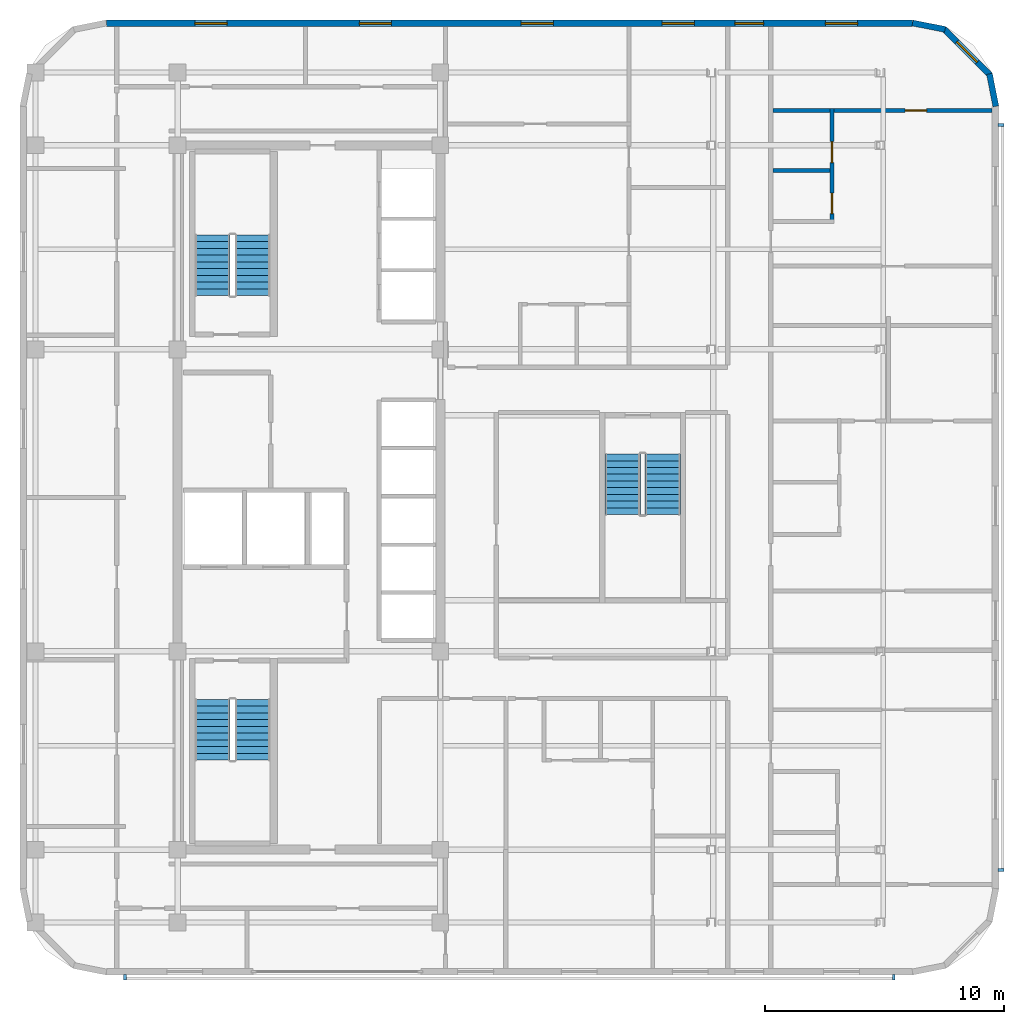
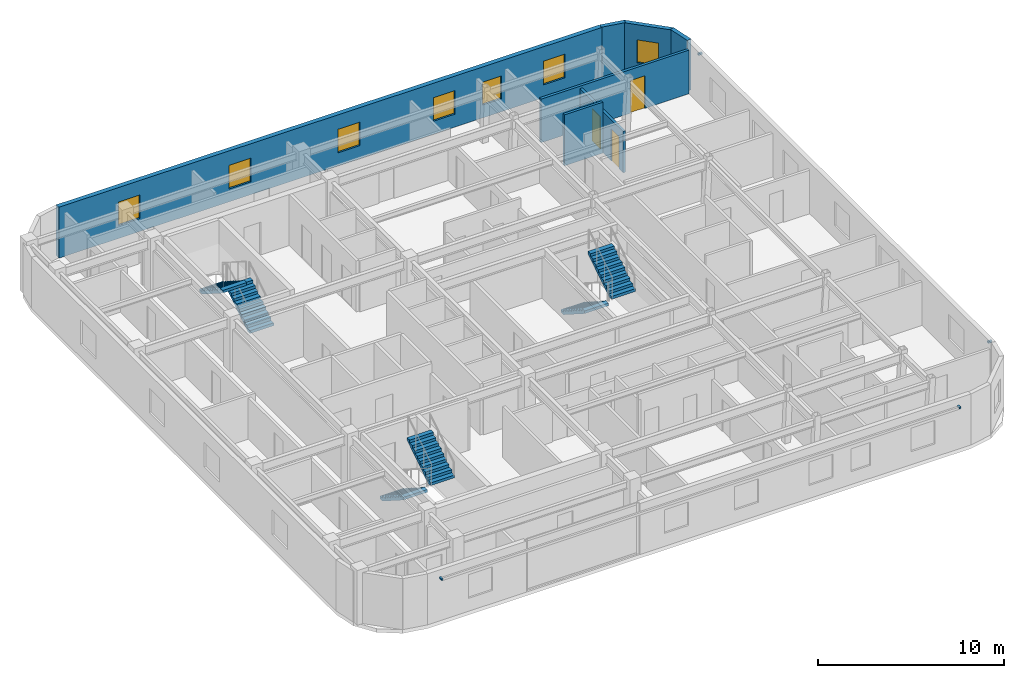
# One storey, part 8 of 11: 7 walls, 7 windows, 6 stair flights, 4 discrete accessories, 3 doors, 10 openings, 3 elements without a shape of their own.
"""IFC4 building model written with IfcOpenShell, lengths in metres."""

import ifcopenshell
import ifcopenshell.guid

model = None  # the IFC model being written
_history = None  # IfcOwnerHistory: only IFC2X3 demands one
_inside = {}  # id of a spatial element -> (the spatial element, [elements in it])
_under = {}  # id of a project, library or spatial element -> (it, [spatial elements below it])
_declared = {}  # id of a project -> (the project, [libraries it declares])
_typed = {}  # id of a type object -> (the type object, [elements of that type])
_made_of = {}  # id of a material, layer set ... -> (it, [elements and type objects made of it])


def new_model(schema):
    """Start an empty IFC model of exactly this schema.

    Asked for "IFC4X3", IfcOpenShell would pick the latest addendum, in which some entities
    have other attributes; the version numbers below select the first issue.
    IFC2X3 requires an IfcOwnerHistory on every rooted entity: one is made here for all.
    """
    global model, _history
    if schema == "IFC4X3":
        model = ifcopenshell.file(schema_version=(4, 3, 0, 0))
    else:
        model = ifcopenshell.file(schema=schema)
    _inside.clear()
    _under.clear()
    _declared.clear()
    _typed.clear()
    _made_of.clear()
    _history = None
    if model.schema == "IFC2X3":
        org = make("IfcOrganization", Name="unknown")
        user = make(
            "IfcPersonAndOrganization",
            ThePerson=make("IfcPerson", FamilyName="unknown"),
            TheOrganization=org,
        )
        app = make(
            "IfcApplication",
            ApplicationDeveloper=org,
            Version="unknown",
            ApplicationFullName="unknown",
            ApplicationIdentifier="unknown",
        )
        _history = make(
            "IfcOwnerHistory",
            OwningUser=user,
            OwningApplication=app,
            ChangeAction="ADDED",
            CreationDate=0,
        )
    return model


def make(cls, **values):
    """One entity of the class cls with the attributes given. An attribute that is None is left unset."""
    return model.create_entity(
        cls, **{name: value for name, value in values.items() if value is not None}
    )


def rooted(cls, **values):
    """An entity with a GlobalId (a new one), such as an element, a storey or a relation."""
    return make(cls, GlobalId=ifcopenshell.guid.new(), OwnerHistory=_history, **values)


def si_unit(unit_type, name, prefix=None):
    """IfcSIUnit, for example si_unit("LENGTHUNIT", "METRE", prefix="MILLI")."""
    return make("IfcSIUnit", UnitType=unit_type, Prefix=prefix, Name=name)


def assignment(units):
    """IfcUnitAssignment: the units of a project."""
    return None if units is None else make("IfcUnitAssignment", Units=units)


def point(xyz):
    """IfcCartesianPoint."""
    return None if xyz is None else make("IfcCartesianPoint", Coordinates=xyz)


def direction(xyz):
    """IfcDirection."""
    return None if xyz is None else make("IfcDirection", DirectionRatios=xyz)


def frame(location, z_axis=None, x_axis=None):
    """IfcAxis2Placement3D, a coordinate frame: its origin and axes. An axis left out is left unset."""
    return make(
        "IfcAxis2Placement3D",
        Location=point(location),
        Axis=direction(z_axis),
        RefDirection=direction(x_axis),
    )


def frame_2d(location, x_axis=None):
    """IfcAxis2Placement2D, a coordinate frame in the plane: its origin and x axis."""
    return make(
        "IfcAxis2Placement2D", Location=point(location), RefDirection=direction(x_axis)
    )


def origin():
    """The frame at (0, 0, 0) with its axes left unset."""
    return frame((0.0, 0.0, 0.0))


def origin_2d():
    """The frame at (0, 0) in the plane with its x axis left unset."""
    return frame_2d((0.0, 0.0))


def place(relative_to, where):
    """IfcLocalPlacement: puts the frame where relative to a parent placement (None: the world)."""
    return make(
        "IfcLocalPlacement", PlacementRelTo=relative_to, RelativePlacement=where
    )


def context(
    kind, dimensions, precision=None, world=None, true_north=None, identifier=None
):
    """IfcGeometricRepresentationContext, for example the 3D "Model" context."""
    return make(
        "IfcGeometricRepresentationContext",
        ContextIdentifier=identifier,
        ContextType=kind,
        CoordinateSpaceDimension=dimensions,
        Precision=precision,
        WorldCoordinateSystem=world,
        TrueNorth=true_north,
    )


def subcontext(parent, identifier, kind, view, scale=None):
    """IfcGeometricRepresentationSubContext, for example "Body" below "Model"."""
    return make(
        "IfcGeometricRepresentationSubContext",
        ContextIdentifier=identifier,
        ContextType=kind,
        ParentContext=parent,
        TargetScale=scale,
        TargetView=view,
    )


def project(units=None, contexts=None):
    """IfcProject with its units and contexts."""
    return rooted(
        "IfcProject",
        Name="project",
        RepresentationContexts=contexts,
        UnitsInContext=assignment(units),
    )


def spatial(cls, under=None, at=None, **own):
    """A site, building, storey or space (cls), placed at a placement, below another one or the project."""
    s = rooted(cls, ObjectPlacement=at, **own)
    if under is not None:
        _under.setdefault(under.id(), (under, []))[1].append(s)
    return s


def polyline(points):
    """IfcPolyline through the points."""
    return make("IfcPolyline", Points=[point(p) for p in points])


def profile(cls, at=None, kind="AREA", **sizes):
    """A parametric profile (cls). Its sizes go by their IFC names, for example OverallWidth=200.0."""
    return make(cls, ProfileType=kind, Position=at, **sizes)


def rectangle(**sizes):
    """IfcRectangleProfileDef."""
    return profile("IfcRectangleProfileDef", **sizes)


def outline(outer, holes=None, kind="AREA"):
    """IfcArbitraryClosedProfileDef: a profile drawn as a closed curve; with holes, ...WithVoids."""
    if holes is None:
        return make("IfcArbitraryClosedProfileDef", ProfileType=kind, OuterCurve=outer)
    return make(
        "IfcArbitraryProfileDefWithVoids",
        ProfileType=kind,
        OuterCurve=outer,
        InnerCurves=holes,
    )


def extrude(swept, where, along, depth):
    """IfcExtrudedAreaSolid: the profile swept, set in the frame where, extruded along a direction by depth."""
    return make(
        "IfcExtrudedAreaSolid",
        SweptArea=swept,
        Position=where,
        ExtrudedDirection=direction(along),
        Depth=depth,
    )


def shape(context_of_items, identifier, shape_type, items):
    """IfcShapeRepresentation: the items that make up one representation, for example the "Body"."""
    return make(
        "IfcShapeRepresentation",
        ContextOfItems=context_of_items,
        RepresentationIdentifier=identifier,
        RepresentationType=shape_type,
        Items=items,
    )


def material(Name=None, Category=None):
    """IfcMaterial."""
    return make("IfcMaterial", Name=Name, Category=Category)


def layer(
    of_material, thickness, ventilated=None, Name=None, Category=None, Priority=None
):
    """IfcMaterialLayer: one layer of a wall or slab, of a material (None: an air gap)."""
    return make(
        "IfcMaterialLayer",
        Material=of_material,
        LayerThickness=thickness,
        IsVentilated=ventilated,
        Name=Name,
        Category=Category,
        Priority=Priority,
    )


def layer_set(layers, Name=None):
    """IfcMaterialLayerSet."""
    return make("IfcMaterialLayerSet", MaterialLayers=layers, LayerSetName=Name)


def made_of(thing, what):
    """Note that an element or type object is made of a material, layer set ...; save() writes the relation."""
    if what is not None:
        _made_of.setdefault(what.id(), (what, []))[1].append(thing)
    return thing


def type_object(cls, material=None, **own):
    """A type object (cls), such as IfcWallType, which elements share."""
    return made_of(rooted(cls, **own), material)


def element(
    cls,
    number,
    at=None,
    inside=None,
    cuts=None,
    type_object=None,
    material=None,
    context=None,
    identifier="Body",
    shape_type=None,
    held_by="IfcProductDefinitionShape",
    body=None,
    shapes=None,
    **own,
):
    """One element of the class cls, such as IfcWall. Its Tag is "e" and its number.

    at: its placement. inside: the storey or other place that contains it. cuts: it is an
    opening in that element (IfcRelVoidsElement). A single representation is given by context,
    identifier, shape_type and body (its items); several are given by shapes. held_by: the class
    of the entity that holds the representations. save() writes the other relations.
    """
    e = rooted(cls, Tag="e%d" % number, ObjectPlacement=at, **own)
    if body is not None:
        shapes = [shape(context, identifier, shape_type, body)]
    if shapes is not None:
        e.Representation = make(held_by, Representations=shapes)
    if inside is not None:
        _inside.setdefault(inside.id(), (inside, []))[1].append(e)
    if cuts is not None:
        rooted(
            "IfcRelVoidsElement", RelatingBuildingElement=cuts, RelatedOpeningElement=e
        )
    if type_object is not None:
        _typed.setdefault(type_object.id(), (type_object, []))[1].append(e)
    return made_of(e, material)


def fill(opening, filler):
    """IfcRelFillsElement: the door or window that sits in an opening."""
    return rooted(
        "IfcRelFillsElement",
        RelatingOpeningElement=opening,
        RelatedBuildingElement=filler,
    )


def aggregate(whole, parts):
    """IfcRelAggregates: a whole, such as a stair, and the parts it consists of."""
    return rooted("IfcRelAggregates", RelatingObject=whole, RelatedObjects=parts)


def save(model, path):
    """Write the relations noted so far, then the file.

    IfcRelAggregates (storeys below a building ...), IfcRelContainedInSpatialStructure (elements
    in a storey), IfcRelDefinesByType, IfcRelAssociatesMaterial and IfcRelDeclares: one each for
    every whole, place, type object, material and project.
    """
    for whole, parts in _under.values():
        aggregate(whole, parts)
    for where, things in _inside.values():
        rooted(
            "IfcRelContainedInSpatialStructure",
            RelatedElements=things,
            RelatingStructure=where,
        )
    for kind, things in _typed.values():
        rooted("IfcRelDefinesByType", RelatedObjects=things, RelatingType=kind)
    for what, things in _made_of.values():
        rooted("IfcRelAssociatesMaterial", RelatedObjects=things, RelatingMaterial=what)
    for by, libraries in _declared.values():
        rooted("IfcRelDeclares", RelatingContext=by, RelatedDefinitions=libraries)
    model.write(path)


model = new_model("IFC4")

# Units and contexts
model_context = context("Model", 3, precision=1e-05, world=origin(), true_north=direction((0.0, 1.0)))
body_context = subcontext(model_context, "Body", "Model", "MODEL_VIEW")
ifc_project = project(units=[si_unit("LENGTHUNIT", "METRE"), si_unit("AREAUNIT", "SQUARE_METRE"), si_unit("VOLUMEUNIT", "CUBIC_METRE"), si_unit("PLANEANGLEUNIT", "RADIAN"), si_unit("MASSUNIT", "GRAM", prefix="KILO")], contexts=[model_context])

# Site, building, storey
site_placement = place(None, origin())
site = spatial("IfcSite", under=ifc_project, at=site_placement, CompositionType="ELEMENT")
building_placement = place(site_placement, origin())
building = spatial("IfcBuilding", under=site, at=building_placement, Name="Ochreholt Gables", CompositionType="ELEMENT")
storey_placement = place(building_placement, frame((0.0, 0.0, 188.39990234375)))
storey = spatial("IfcBuildingStorey", under=building, at=storey_placement, Name="L49", CompositionType="ELEMENT", Elevation=188.39990234375)

# Wall, openings, windows
ifc_material_1 = material(Name="Precast concrete 40 MPa", Category="concrete")
ifc_layer_1 = layer(ifc_material_1, 0.280029296875, Name="Precast concrete 40 MPa")
ifc_layer_set_1 = layer_set([ifc_layer_1], Name="Precast concrete 40 MPa")
wall_type_1 = type_object("IfcWallType", Name="WALL-EXT-280", PredefinedType="SOLIDWALL", material=ifc_layer_set_1)
wall_1_placement = place(storey_placement, frame((54.97998046875, 43.860107421875, 0.0), z_axis=(0.0, 0.0, 1.0), x_axis=(-1.0, 0.0, 0.0)))
wall_1 = element("IfcWall", 1, at=wall_1_placement, inside=storey, type_object=wall_type_1, Name="L49 North Exterior Wall", PredefinedType="SOLIDWALL", context=body_context, shape_type="SweptSolid", body=[
    extrude(rectangle(XDim=33.760009765625, YDim=0.280029296875, at=frame_2d((16.8798828125, 0.0))), origin(), (0.0, 0.0, 1.0), 3.35009765625),
])
opening_1_placement = place(wall_1_placement, frame((28.705078125, 0.0, 0.85009765625)))
opening_1 = element("IfcOpeningElement", 2, at=opening_1_placement, cuts=wall_1, Name="Opening WN-8", PredefinedType="OPENING", context=body_context, shape_type="SweptSolid", body=[
    extrude(rectangle(XDim=1.35009765625, YDim=1.550048828125, at=frame_2d((0.675048828125, 0.77490234375))), frame((0.0, 0.14990234375, 0.0), z_axis=(0.0, -1.0, 0.0), x_axis=(1.0, 0.0, 0.0)), (0.0, 0.0, 1.0), 0.300048828125),
])
opening_2_placement = place(wall_1_placement, frame((21.820068359375, 0.0, 0.85009765625)))
opening_2 = element("IfcOpeningElement", 3, at=opening_2_placement, cuts=wall_1, Name="Opening WN-8", PredefinedType="OPENING", context=body_context, shape_type="SweptSolid", body=[
    extrude(rectangle(XDim=1.35009765625, YDim=1.550048828125, at=frame_2d((0.675048828125, 0.77490234375))), frame((0.0, 0.14990234375, 0.0), z_axis=(0.0, -1.0, 0.0), x_axis=(1.0, 0.0, 0.0)), (0.0, 0.0, 1.0), 0.300048828125),
])
opening_3_placement = place(wall_1_placement, frame((15.04345703125, 0.0, 0.85009765625)))
opening_3 = element("IfcOpeningElement", 4, at=opening_3_placement, cuts=wall_1, Name="Opening WN-8", PredefinedType="OPENING", context=body_context, shape_type="SweptSolid", body=[
    extrude(rectangle(XDim=1.35009765625, YDim=1.550048828125, at=frame_2d((0.675048828125, 0.77490234375))), frame((0.0, 0.14990234375, 0.0), z_axis=(0.0, -1.0, 0.0), x_axis=(1.0, 0.0, 0.0)), (0.0, 0.0, 1.0), 0.300048828125),
])
opening_4_placement = place(wall_1_placement, frame((9.132080078125, 0.0, 0.85009765625)))
opening_4 = element("IfcOpeningElement", 5, at=opening_4_placement, cuts=wall_1, Name="Opening WN-8", PredefinedType="OPENING", context=body_context, shape_type="SweptSolid", body=[
    extrude(rectangle(XDim=1.35009765625, YDim=1.550048828125, at=frame_2d((0.675048828125, 0.77490234375))), frame((0.0, 0.14990234375, 0.0), z_axis=(0.0, -1.0, 0.0), x_axis=(1.0, 0.0, 0.0)), (0.0, 0.0, 1.0), 0.300048828125),
])
opening_5_placement = place(wall_1_placement, frame((6.237060546875, 0.0, 0.85009765625)))
opening_5 = element("IfcOpeningElement", 6, at=opening_5_placement, cuts=wall_1, Name="Opening WN-3", PredefinedType="OPENING", context=body_context, shape_type="SweptSolid", body=[
    extrude(rectangle(XDim=1.199951171875, YDim=1.5, at=frame_2d((0.60009765625, 0.75))), frame((0.0, 0.14990234375, 0.0), z_axis=(0.0, -1.0, 0.0), x_axis=(1.0, 0.0, 0.0)), (0.0, 0.0, 1.0), 0.300048828125),
])
opening_6_placement = place(wall_1_placement, frame((2.29345703125, 0.0, 0.85009765625)))
opening_6 = element("IfcOpeningElement", 7, at=opening_6_placement, cuts=wall_1, Name="Opening WN-8", PredefinedType="OPENING", context=body_context, shape_type="SweptSolid", body=[
    extrude(rectangle(XDim=1.35009765625, YDim=1.550048828125, at=frame_2d((0.675048828125, 0.77490234375))), frame((0.0, 0.14990234375, 0.0), z_axis=(0.0, -1.0, 0.0), x_axis=(1.0, 0.0, 0.0)), (0.0, 0.0, 1.0), 0.300048828125),
])
ifc_material_2 = material(Name="Triple-Glazed Thermally Broken Aluminium Window", Category="aluminium")
window_type_1 = type_object("IfcWindowType", Name="WIN-RES-1200", PartitioningType="SINGLE_PANEL", PredefinedType="WINDOW", material=ifc_material_2)
window_1_placement = place(opening_5_placement, origin())
window_1 = element("IfcWindow", 8, at=window_1_placement, inside=storey, type_object=window_type_1, Name="L49 Window W-EXT-N-L49-5", OverallHeight=1.5, OverallWidth=1.199951171875, PartitioningType="SINGLE_PANEL", PredefinedType="WINDOW", context=body_context, shape_type="SweptSolid", body=[
    extrude(rectangle(XDim=1.199951171875, YDim=1.5, at=frame_2d((0.60009765625, 0.75))), frame((0.0, 0.030029296875, 0.0), z_axis=(0.0, -1.0, 0.0), x_axis=(1.0, 0.0, 0.0)), (0.0, 0.0, 1.0), 0.06005859375),
])
fill(opening_5, window_1)
window_type_2 = type_object("IfcWindowType", Name="WIN-RES-1350", PartitioningType="SINGLE_PANEL", PredefinedType="WINDOW", material=ifc_material_2)
window_2_placement = place(opening_1_placement, origin())
window_2 = element("IfcWindow", 9, at=window_2_placement, inside=storey, type_object=window_type_2, Name="L49 Window W-EXT-N-L49-1", OverallHeight=1.550048828125, OverallWidth=1.35009765625, PartitioningType="SINGLE_PANEL", PredefinedType="WINDOW", context=body_context, shape_type="SweptSolid", body=[
    extrude(rectangle(XDim=1.35009765625, YDim=1.550048828125, at=frame_2d((0.675048828125, 0.77490234375))), frame((0.0, 0.030029296875, 0.0), z_axis=(0.0, -1.0, 0.0), x_axis=(1.0, 0.0, 0.0)), (0.0, 0.0, 1.0), 0.06005859375),
])
fill(opening_1, window_2)
window_3_placement = place(opening_2_placement, origin())
window_3 = element("IfcWindow", 10, at=window_3_placement, inside=storey, type_object=window_type_2, Name="L49 Window W-EXT-N-L49-2", OverallHeight=1.550048828125, OverallWidth=1.35009765625, PartitioningType="SINGLE_PANEL", PredefinedType="WINDOW", context=body_context, shape_type="SweptSolid", body=[
    extrude(rectangle(XDim=1.35009765625, YDim=1.550048828125, at=frame_2d((0.675048828125, 0.77490234375))), frame((0.0, 0.030029296875, 0.0), z_axis=(0.0, -1.0, 0.0), x_axis=(1.0, 0.0, 0.0)), (0.0, 0.0, 1.0), 0.06005859375),
])
fill(opening_2, window_3)
window_4_placement = place(opening_3_placement, origin())
window_4 = element("IfcWindow", 11, at=window_4_placement, inside=storey, type_object=window_type_2, Name="L49 Window W-EXT-N-L49-3", OverallHeight=1.550048828125, OverallWidth=1.35009765625, PartitioningType="SINGLE_PANEL", PredefinedType="WINDOW", context=body_context, shape_type="SweptSolid", body=[
    extrude(rectangle(XDim=1.35009765625, YDim=1.550048828125, at=frame_2d((0.675048828125, 0.77490234375))), frame((0.0, 0.030029296875, 0.0), z_axis=(0.0, -1.0, 0.0), x_axis=(1.0, 0.0, 0.0)), (0.0, 0.0, 1.0), 0.06005859375),
])
fill(opening_3, window_4)
window_5_placement = place(opening_4_placement, origin())
window_5 = element("IfcWindow", 12, at=window_5_placement, inside=storey, type_object=window_type_2, Name="L49 Window W-EXT-N-L49-4", OverallHeight=1.550048828125, OverallWidth=1.35009765625, PartitioningType="SINGLE_PANEL", PredefinedType="WINDOW", context=body_context, shape_type="SweptSolid", body=[
    extrude(rectangle(XDim=1.35009765625, YDim=1.550048828125, at=frame_2d((0.675048828125, 0.77490234375))), frame((0.0, 0.030029296875, 0.0), z_axis=(0.0, -1.0, 0.0), x_axis=(1.0, 0.0, 0.0)), (0.0, 0.0, 1.0), 0.06005859375),
])
fill(opening_4, window_5)
window_6_placement = place(opening_6_placement, origin())
window_6 = element("IfcWindow", 13, at=window_6_placement, inside=storey, type_object=window_type_2, Name="L49 Window W-EXT-N-L49-6", OverallHeight=1.550048828125, OverallWidth=1.35009765625, PartitioningType="SINGLE_PANEL", PredefinedType="WINDOW", context=body_context, shape_type="SweptSolid", body=[
    extrude(rectangle(XDim=1.35009765625, YDim=1.550048828125, at=frame_2d((0.675048828125, 0.77490234375))), frame((0.0, 0.030029296875, 0.0), z_axis=(0.0, -1.0, 0.0), x_axis=(1.0, 0.0, 0.0)), (0.0, 0.0, 1.0), 0.06005859375),
])
fill(opening_6, window_6)

# Wall
ifc_layer_2 = layer(ifc_material_1, 0.25, Name="Precast concrete 40 MPa")
ifc_layer_set_2 = layer_set([ifc_layer_2], Name="Precast concrete 40 MPa")
wall_type_2 = type_object("IfcWallType", Name="WALL-EXT-CNR", PredefinedType="SOLIDWALL", material=ifc_layer_set_2)
wall_2_placement = place(storey_placement, frame((58.475830078125, 40.383544921875, 0.0), z_axis=(0.0, 0.0, 1.0), x_axis=(-0.19496651342, 0.980809899341, 0.0)))
element("IfcWall", 14, at=wall_2_placement, inside=storey, type_object=wall_type_2, Name="L49 Rounded Corner Wall NE-1", PredefinedType="SOLIDWALL", context=body_context, shape_type="SweptSolid", body=[
    extrude(rectangle(XDim=1.388671875, YDim=0.25, at=frame_2d((0.6943359375, 0.0))), origin(), (0.0, 0.0, 1.0), 3.35009765625),
])

# Wall, opening, window
wall_3_placement = place(storey_placement, frame((58.23193359375, 41.695068359375, 0.0), z_axis=(0.0, 0.0, 1.0), x_axis=(-0.707106781187, 0.707106781187, 0.0)))
wall_3 = element("IfcWall", 15, at=wall_3_placement, inside=storey, type_object=wall_type_2, Name="L49 Rounded Corner Wall NE-2", PredefinedType="SOLIDWALL", context=body_context, shape_type="SweptSolid", body=[
    extrude(rectangle(XDim=2.7392578125, YDim=0.25, at=frame_2d((1.36962890625, 0.0))), origin(), (0.0, 0.0, 1.0), 3.35009765625),
])
opening_7_placement = place(wall_3_placement, frame((0.769775390625, 0.0, 0.85009765625)))
opening_7 = element("IfcOpeningElement", 16, at=opening_7_placement, cuts=wall_3, Name="Opening WN-3", PredefinedType="OPENING", context=body_context, shape_type="SweptSolid", body=[
    extrude(rectangle(XDim=1.199951171875, YDim=1.5, at=frame_2d((0.60009765625, 0.75))), frame((0.0, 0.135009765625, 0.0), z_axis=(0.0, -1.0, 0.0), x_axis=(1.0, 0.0, 0.0)), (0.0, 0.0, 1.0), 0.27001953125),
])
window_7_placement = place(opening_7_placement, origin())
window_7 = element("IfcWindow", 17, at=window_7_placement, inside=storey, type_object=window_type_1, Name="L49 Corner Bedroom Window NE", OverallHeight=1.5, OverallWidth=1.199951171875, PartitioningType="SINGLE_PANEL", PredefinedType="WINDOW", context=body_context, shape_type="SweptSolid", body=[
    extrude(rectangle(XDim=1.199951171875, YDim=1.5, at=frame_2d((0.60009765625, 0.75))), frame((0.0, 0.030029296875, 0.0), z_axis=(0.0, -1.0, 0.0), x_axis=(1.0, 0.0, 0.0)), (0.0, 0.0, 1.0), 0.06005859375),
])
fill(opening_7, window_7)

# Wall
wall_4_placement = place(storey_placement, frame((56.345458984375, 43.60498046875, 0.0), z_axis=(0.0, 0.0, 1.0), x_axis=(-0.980809899341, 0.19496651342, 0.0)))
element("IfcWall", 18, at=wall_4_placement, inside=storey, type_object=wall_type_2, Name="L49 Rounded Corner Wall NE-3", PredefinedType="SOLIDWALL", context=body_context, shape_type="SweptSolid", body=[
    extrude(rectangle(XDim=1.388671875, YDim=0.25, at=frame_2d((0.6943359375, 0.0))), origin(), (0.0, 0.0, 1.0), 3.35009765625),
])

# Wall, openings, doors
ifc_material_3 = material(Name="Moisture-Resistant Plumbing Chase Wall", Category="gypsum")
ifc_layer_3 = layer(ifc_material_3, 0.159912109375, Name="Moisture-Resistant Plumbing Chase Wall")
ifc_layer_set_3 = layer_set([ifc_layer_3], Name="Moisture-Resistant Plumbing Chase Wall")
wall_type_3 = type_object("IfcWallType", Name="WALL-INT-PL160", PredefinedType="PLUMBINGWALL", material=ifc_layer_set_3)
wall_5_placement = place(storey_placement, frame((51.613037109375, 35.469970703125, 0.0), z_axis=(0.0, 0.0, 1.0), x_axis=(0.0, 1.0, 0.0)))
wall_5 = element("IfcWall", 19, at=wall_5_placement, inside=storey, type_object=wall_type_3, Name="L49 Interior Wall WU-L49FE3-WX", PredefinedType="PLUMBINGWALL", context=body_context, shape_type="SweptSolid", body=[
    extrude(rectangle(XDim=4.830078125, YDim=0.159912109375, at=frame_2d((2.4150390625, 0.0))), origin(), (0.0, 0.0, 1.0), 2.72021484375),
])
opening_8_placement = place(wall_5_placement, frame((0.419921875, 0.0, 0.0)))
opening_8 = element("IfcOpeningElement", 20, at=opening_8_placement, cuts=wall_5, Name="Opening D-BT1", PredefinedType="OPENING", context=body_context, shape_type="SweptSolid", body=[
    extrude(rectangle(XDim=0.860107421875, YDim=2.1201171875, at=frame_2d((0.43017578125, 1.06005859375))), frame((0.0, 0.08984375, 0.0), z_axis=(0.0, -1.0, 0.0), x_axis=(1.0, 0.0, 0.0)), (0.0, 0.0, 1.0), 0.179931640625),
])
opening_9_placement = place(wall_5_placement, frame((2.55908203125, 0.0, 0.0)))
opening_9 = element("IfcOpeningElement", 21, at=opening_9_placement, cuts=wall_5, Name="Opening D-GN2", PredefinedType="OPENING", context=body_context, shape_type="SweptSolid", body=[
    extrude(rectangle(XDim=0.8798828125, YDim=2.1201171875, at=frame_2d((0.43994140625, 1.06005859375))), frame((0.0, 0.08984375, 0.0), z_axis=(0.0, -1.0, 0.0), x_axis=(1.0, 0.0, 0.0)), (0.0, 0.0, 1.0), 0.179931640625),
])
ifc_material_4 = material(Name="Engineered Oak Timber", Category="wood")
door_type_1 = type_object("IfcDoorType", Name="DR-INT-BTH860", OperationType="NOTDEFINED", PredefinedType="DOOR", material=ifc_material_4)
door_1_placement = place(opening_8_placement, origin())
door_1 = element("IfcDoor", 22, at=door_1_placement, inside=storey, type_object=door_type_1, Name="L49 Door D-U-L49FE3-BTH", OperationType="SINGLE_SWING_LEFT", OverallHeight=2.1201171875, OverallWidth=0.860107421875, PredefinedType="DOOR", context=body_context, shape_type="SweptSolid", body=[
    extrude(rectangle(XDim=0.860107421875, YDim=2.1201171875, at=frame_2d((0.43017578125, 1.06005859375))), frame((0.0, 0.02490234375, 0.0), z_axis=(0.0, -1.0, 0.0), x_axis=(1.0, 0.0, 0.0)), (0.0, 0.0, 1.0), 0.050048828125),
])
fill(opening_8, door_1)
door_type_2 = type_object("IfcDoorType", Name="DR-INT-GEN880", OperationType="NOTDEFINED", PredefinedType="DOOR", material=ifc_material_4)
door_2_placement = place(opening_9_placement, origin())
door_2 = element("IfcDoor", 23, at=door_2_placement, inside=storey, type_object=door_type_2, Name="L49 Door D-U-L49FE3-KIT", OperationType="SINGLE_SWING_RIGHT", OverallHeight=2.1201171875, OverallWidth=0.8798828125, PredefinedType="DOOR", context=body_context, shape_type="SweptSolid", body=[
    extrude(rectangle(XDim=0.8798828125, YDim=2.1201171875, at=frame_2d((0.43994140625, 1.06005859375))), frame((0.0, 0.02490234375, 0.0), z_axis=(0.0, -1.0, 0.0), x_axis=(1.0, 0.0, 0.0)), (0.0, 0.0, 1.0), 0.050048828125),
])
fill(opening_9, door_2)

# Wall
wall_6_placement = place(storey_placement, frame((49.133056640625, 37.698974609375, 0.0), z_axis=(0.0, 0.0, 1.0), x_axis=(1.0, 0.0, 0.0)))
element("IfcWall", 24, at=wall_6_placement, inside=storey, type_object=wall_type_3, Name="L49 Interior Wall WU-L49FE3-WK", PredefinedType="PLUMBINGWALL", context=body_context, shape_type="SweptSolid", body=[
    extrude(rectangle(XDim=2.39990234375, YDim=0.159912109375, at=frame_2d((1.199951171875, 0.0))), origin(), (0.0, 0.0, 1.0), 3.35009765625),
])

# Wall, opening, door
ifc_material_5 = material(Name="Gypsum Acoustic Stud Partition", Category="gypsum")
ifc_layer_4 = layer(ifc_material_5, 0.1650390625, Name="Gypsum Acoustic Stud Partition")
ifc_layer_set_4 = layer_set([ifc_layer_4], Name="Gypsum Acoustic Stud Partition")
wall_type_4 = type_object("IfcWallType", Name="WALL-INT-PT165", PredefinedType="PARTITIONING", material=ifc_layer_set_4)
wall_7_placement = place(storey_placement, frame((49.133056640625, 40.2099609375, 0.0), z_axis=(0.0, 0.0, 1.0), x_axis=(1.0, 0.0, 0.0)))
wall_7 = element("IfcWall", 25, at=wall_7_placement, inside=storey, type_object=wall_type_4, Name="L49 Interior Wall WU-L49FE3-MN", PredefinedType="PARTITIONING", context=body_context, shape_type="SweptSolid", body=[
    extrude(rectangle(XDim=9.18701171875, YDim=0.1650390625, at=frame_2d((4.593505859375, 0.0))), origin(), (0.0, 0.0, 1.0), 2.869140625),
])
opening_10_placement = place(wall_7_placement, frame((5.53857421875, 0.0, 0.0)))
opening_10 = element("IfcOpeningElement", 26, at=opening_10_placement, cuts=wall_7, Name="Opening D-BD1", PredefinedType="OPENING", context=body_context, shape_type="SweptSolid", body=[
    extrude(rectangle(XDim=0.89990234375, YDim=2.139892578125, at=frame_2d((0.449951171875, 1.06982421875))), frame((0.0, 0.092529296875, 0.0), z_axis=(0.0, -1.0, 0.0), x_axis=(1.0, 0.0, 0.0)), (0.0, 0.0, 1.0), 0.18505859375),
])
door_type_3 = type_object("IfcDoorType", Name="DR-INT-BED900", OperationType="NOTDEFINED", PredefinedType="DOOR", material=ifc_material_4)
door_3_placement = place(opening_10_placement, origin())
door_3 = element("IfcDoor", 27, at=door_3_placement, inside=storey, type_object=door_type_3, Name="L49 Door D-U-L49FE3-BD1", OperationType="SINGLE_SWING_LEFT", OverallHeight=2.139892578125, OverallWidth=0.89990234375, PredefinedType="DOOR", context=body_context, shape_type="SweptSolid", body=[
    extrude(rectangle(XDim=0.89990234375, YDim=2.139892578125, at=frame_2d((0.449951171875, 1.06982421875))), frame((0.0, 0.02490234375, 0.0), z_axis=(0.0, -1.0, 0.0), x_axis=(1.0, 0.0, 0.0)), (0.0, 0.0, 1.0), 0.050048828125),
])
fill(opening_10, door_3)

# Stair, stair flights
ifc_material_6 = material(Name="Concrete 40 MPa", Category="concrete")
stair_type_1 = type_object("IfcStairType", Name="STAIR-CORE-ST-1", PredefinedType="HALF_TURN_STAIR", material=ifc_material_6)
stair_1_placement = place(storey_placement, origin())
stair_1 = element("IfcStair", 28, at=stair_1_placement, inside=storey, type_object=stair_type_1, Name="L49 Core Exit Stair 1", PredefinedType="HALF_TURN_STAIR")
stair_flight_type = type_object("IfcStairFlightType", Name="FLIGHT-ST-1480-1800", PredefinedType="STRAIGHT", material=ifc_material_6)
stair_flight_1_placement = place(storey_placement, frame((25.659912109375, 15.5400390625, 0.0), z_axis=(0.0, 0.0, 1.0), x_axis=(0.0, -1.0, 0.0)))
stair_flight_1 = element("IfcStairFlight", 29, at=stair_flight_1_placement, type_object=stair_flight_type, Name="ST-1 flight 1", NumberOfRisers=10, NumberOfTreads=9, PredefinedType="STRAIGHT", RiserHeight=0.18, TreadLength=0.282, context=body_context, shape_type="SweptSolid", body=[
    extrude(outline(polyline([(0.0, 0.0), (0.0, 0.179931640625), (0.281982421875, 0.179931640625), (0.281982421875, 0.360107421875), (0.56396484375, 0.360107421875), (0.56396484375, 0.5400390625), (0.845947265625, 0.5400390625), (0.845947265625, 0.719970703125), (1.1279296875, 0.719970703125), (1.1279296875, 0.89990234375), (1.409912109375, 0.89990234375), (1.409912109375, 1.080078125), (1.69189453125, 1.080078125), (1.69189453125, 1.260009765625), (1.97412109375, 1.260009765625), (1.97412109375, 1.43994140625), (2.256103515625, 1.43994140625), (2.256103515625, 1.6201171875), (2.5380859375, 1.6201171875), (2.5380859375, 1.800048828125), (2.5380859375, 1.442138671875), (0.278564453125, 0.0), (0.0, 0.0)])), frame((0.0, 0.739990234375, 0.0), z_axis=(0.0, -1.0, 0.0), x_axis=(1.0, 0.0, 0.0)), (0.0, 0.0, 1.0), 1.47998046875),
])
stair_flight_2_placement = place(storey_placement, frame((27.340087890625, 13.001953125, 1.800048828125), z_axis=(0.0, 0.0, 1.0), x_axis=(0.0, 1.0, 0.0)))
stair_flight_2 = element("IfcStairFlight", 30, at=stair_flight_2_placement, type_object=stair_flight_type, Name="ST-1 flight 2", NumberOfRisers=10, NumberOfTreads=9, PredefinedType="STRAIGHT", RiserHeight=0.18, TreadLength=0.282, context=body_context, shape_type="SweptSolid", body=[
    extrude(outline(polyline([(0.0, 0.0), (0.0, 0.179931640625), (0.281982421875, 0.179931640625), (0.281982421875, 0.360107421875), (0.56396484375, 0.360107421875), (0.56396484375, 0.5400390625), (0.845947265625, 0.5400390625), (0.845947265625, 0.719970703125), (1.1279296875, 0.719970703125), (1.1279296875, 0.89990234375), (1.409912109375, 0.89990234375), (1.409912109375, 1.080078125), (1.69189453125, 1.080078125), (1.69189453125, 1.260009765625), (1.97412109375, 1.260009765625), (1.97412109375, 1.43994140625), (2.256103515625, 1.43994140625), (2.256103515625, 1.6201171875), (2.5380859375, 1.6201171875), (2.5380859375, 1.800048828125), (2.5380859375, 1.442138671875), (0.278564453125, 0.0), (0.0, 0.0)])), frame((0.0, 0.739990234375, 0.0), z_axis=(0.0, -1.0, 0.0), x_axis=(1.0, 0.0, 0.0)), (0.0, 0.0, 1.0), 1.47998046875),
])
aggregate(stair_1, [stair_flight_1, stair_flight_2])

stair_type_2 = type_object("IfcStairType", Name="STAIR-CORE-ST-2", PredefinedType="HALF_TURN_STAIR", material=ifc_material_6)
stair_2_placement = place(storey_placement, origin())
stair_2 = element("IfcStair", 31, at=stair_2_placement, inside=storey, type_object=stair_type_2, Name="L49 Core Exit Stair 2", PredefinedType="HALF_TURN_STAIR")
stair_flight_3_placement = place(storey_placement, frame((27.340087890625, 32.4599609375, 0.0), z_axis=(0.0, 0.0, 1.0), x_axis=(0.0, 1.0, 0.0)))
stair_flight_3 = element("IfcStairFlight", 32, at=stair_flight_3_placement, type_object=stair_flight_type, Name="ST-2 flight 1", NumberOfRisers=10, NumberOfTreads=9, PredefinedType="STRAIGHT", RiserHeight=0.18, TreadLength=0.282, context=body_context, shape_type="SweptSolid", body=[
    extrude(outline(polyline([(0.0, 0.0), (0.0, 0.179931640625), (0.281982421875, 0.179931640625), (0.281982421875, 0.360107421875), (0.56396484375, 0.360107421875), (0.56396484375, 0.5400390625), (0.845947265625, 0.5400390625), (0.845947265625, 0.719970703125), (1.1279296875, 0.719970703125), (1.1279296875, 0.89990234375), (1.409912109375, 0.89990234375), (1.409912109375, 1.080078125), (1.69189453125, 1.080078125), (1.69189453125, 1.260009765625), (1.97412109375, 1.260009765625), (1.97412109375, 1.43994140625), (2.256103515625, 1.43994140625), (2.256103515625, 1.6201171875), (2.5380859375, 1.6201171875), (2.5380859375, 1.800048828125), (2.5380859375, 1.442138671875), (0.278564453125, 0.0), (0.0, 0.0)])), frame((0.0, 0.739990234375, 0.0), z_axis=(0.0, -1.0, 0.0), x_axis=(1.0, 0.0, 0.0)), (0.0, 0.0, 1.0), 1.47998046875),
])
stair_flight_4_placement = place(storey_placement, frame((25.659912109375, 34.998046875, 1.800048828125), z_axis=(0.0, 0.0, 1.0), x_axis=(0.0, -1.0, 0.0)))
stair_flight_4 = element("IfcStairFlight", 33, at=stair_flight_4_placement, type_object=stair_flight_type, Name="ST-2 flight 2", NumberOfRisers=10, NumberOfTreads=9, PredefinedType="STRAIGHT", RiserHeight=0.18, TreadLength=0.282, context=body_context, shape_type="SweptSolid", body=[
    extrude(outline(polyline([(0.0, 0.0), (0.0, 0.179931640625), (0.281982421875, 0.179931640625), (0.281982421875, 0.360107421875), (0.56396484375, 0.360107421875), (0.56396484375, 0.5400390625), (0.845947265625, 0.5400390625), (0.845947265625, 0.719970703125), (1.1279296875, 0.719970703125), (1.1279296875, 0.89990234375), (1.409912109375, 0.89990234375), (1.409912109375, 1.080078125), (1.69189453125, 1.080078125), (1.69189453125, 1.260009765625), (1.97412109375, 1.260009765625), (1.97412109375, 1.43994140625), (2.256103515625, 1.43994140625), (2.256103515625, 1.6201171875), (2.5380859375, 1.6201171875), (2.5380859375, 1.800048828125), (2.5380859375, 1.442138671875), (0.278564453125, 0.0), (0.0, 0.0)])), frame((0.0, 0.739990234375, 0.0), z_axis=(0.0, -1.0, 0.0), x_axis=(1.0, 0.0, 0.0)), (0.0, 0.0, 1.0), 1.47998046875),
])
aggregate(stair_2, [stair_flight_3, stair_flight_4])

stair_type_3 = type_object("IfcStairType", Name="STAIR-CORE-ST-C5", PredefinedType="HALF_TURN_STAIR", material=ifc_material_6)
stair_3_placement = place(storey_placement, origin())
stair_3 = element("IfcStair", 34, at=stair_3_placement, inside=storey, type_object=stair_type_3, Name="L49 Community Feature Stair ST-C5", PredefinedType="HALF_TURN_STAIR")
stair_flight_5_placement = place(storey_placement, frame((42.840087890625, 25.820068359375, 0.0), z_axis=(0.0, 0.0, 1.0), x_axis=(0.0, -1.0, 0.0)))
stair_flight_5 = element("IfcStairFlight", 35, at=stair_flight_5_placement, type_object=stair_flight_type, Name="ST-C5 flight 1", NumberOfRisers=10, NumberOfTreads=9, PredefinedType="STRAIGHT", RiserHeight=0.18, TreadLength=0.282, context=body_context, shape_type="SweptSolid", body=[
    extrude(outline(polyline([(0.0, 0.0), (0.0, 0.179931640625), (0.281982421875, 0.179931640625), (0.281982421875, 0.360107421875), (0.56396484375, 0.360107421875), (0.56396484375, 0.5400390625), (0.845947265625, 0.5400390625), (0.845947265625, 0.719970703125), (1.1279296875, 0.719970703125), (1.1279296875, 0.89990234375), (1.409912109375, 0.89990234375), (1.409912109375, 1.080078125), (1.69189453125, 1.080078125), (1.69189453125, 1.260009765625), (1.97412109375, 1.260009765625), (1.97412109375, 1.43994140625), (2.256103515625, 1.43994140625), (2.256103515625, 1.6201171875), (2.5380859375, 1.6201171875), (2.5380859375, 1.800048828125), (2.5380859375, 1.442138671875), (0.278564453125, 0.0), (0.0, 0.0)])), frame((0.0, 0.739990234375, 0.0), z_axis=(0.0, -1.0, 0.0), x_axis=(1.0, 0.0, 0.0)), (0.0, 0.0, 1.0), 1.47998046875),
])
stair_flight_6_placement = place(storey_placement, frame((44.52001953125, 23.281982421875, 1.800048828125), z_axis=(0.0, 0.0, 1.0), x_axis=(0.0, 1.0, 0.0)))
stair_flight_6 = element("IfcStairFlight", 36, at=stair_flight_6_placement, type_object=stair_flight_type, Name="ST-C5 flight 2", NumberOfRisers=10, NumberOfTreads=9, PredefinedType="STRAIGHT", RiserHeight=0.18, TreadLength=0.282, context=body_context, shape_type="SweptSolid", body=[
    extrude(outline(polyline([(0.0, 0.0), (0.0, 0.179931640625), (0.281982421875, 0.179931640625), (0.281982421875, 0.360107421875), (0.56396484375, 0.360107421875), (0.56396484375, 0.5400390625), (0.845947265625, 0.5400390625), (0.845947265625, 0.719970703125), (1.1279296875, 0.719970703125), (1.1279296875, 0.89990234375), (1.409912109375, 0.89990234375), (1.409912109375, 1.080078125), (1.69189453125, 1.080078125), (1.69189453125, 1.260009765625), (1.97412109375, 1.260009765625), (1.97412109375, 1.43994140625), (2.256103515625, 1.43994140625), (2.256103515625, 1.6201171875), (2.5380859375, 1.6201171875), (2.5380859375, 1.800048828125), (2.5380859375, 1.442138671875), (0.278564453125, 0.0), (0.0, 0.0)])), frame((0.0, 0.739990234375, 0.0), z_axis=(0.0, -1.0, 0.0), x_axis=(1.0, 0.0, 0.0)), (0.0, 0.0, 1.0), 1.47998046875),
])
aggregate(stair_3, [stair_flight_5, stair_flight_6])

# Discrete accessories
ifc_material_7 = material(Name="Extruded Aluminium Standoff Bracket", Category="aluminium")
discrete_accessory_type = type_object("IfcDiscreteAccessoryType", Name="ACC-BRACKET-AL", PredefinedType="BRACKET", material=ifc_material_7)
for number, where, z_axis, x_axis, name in (
    (37, (22.0, 3.909912109375, 2.77001953125), (0.0, 0.0, 1.0), (1.0, 0.0, 0.0), "L49 Baguette Standoff Bracket S1-1"),
    (38, (54.199951171875, 3.909912109375, 2.77001953125), (0.0, 0.0, 1.0), (1.0, 0.0, 0.0), "L49 Baguette Standoff Bracket S1-2"),
    (39, (58.68994140625, 8.39990234375, 2.77001953125), (0.0, 0.0, 1.0), (0.0, 1.0, 0.0), "L49 Baguette Standoff Bracket E1-1"),
    (40, (58.68994140625, 39.60009765625, 2.77001953125), (0.0, 0.0, 1.0), (0.0, 1.0, 0.0), "L49 Baguette Standoff Bracket E1-2"),
):
    element("IfcDiscreteAccessory", number, at=place(storey_placement, frame(where, z_axis=z_axis, x_axis=x_axis)), inside=storey, type_object=discrete_accessory_type, Name=name, PredefinedType="BRACKET", context=body_context, shape_type="SweptSolid", body=[
        extrude(rectangle(XDim=0.1201171875, YDim=0.239990234375, at=origin_2d()), origin(), (0.0, 0.0, 1.0), 0.1201171875),
    ])

save(model, "model.ifc")
